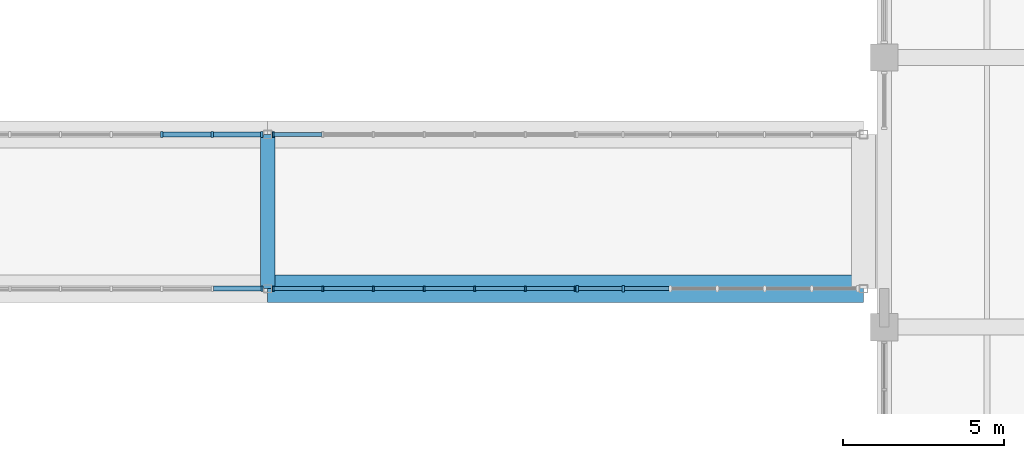
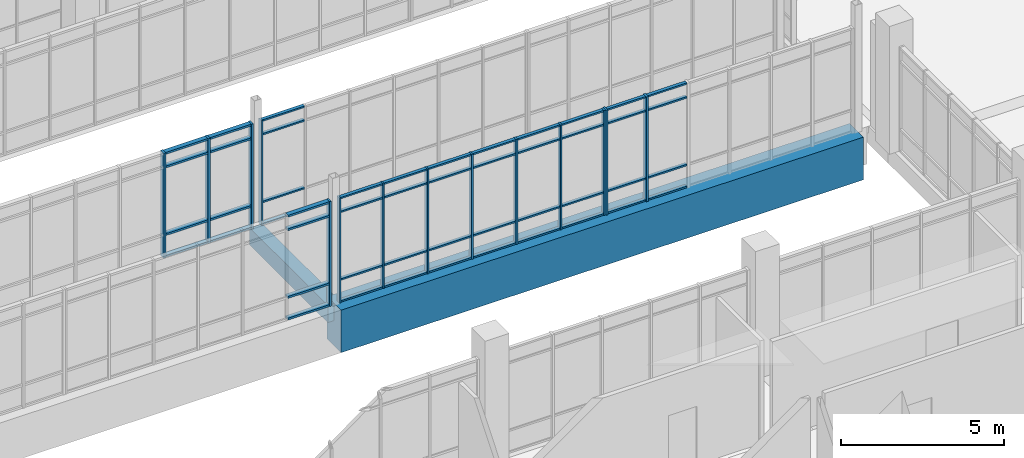
# One storey, part 55 of 152: 62 members, 2 beams, 5 elements without a shape of their own.
"""IFC4 building model written with IfcOpenShell, lengths in metres."""

from ifc_helpers import new_model, si_unit, direction, frame, origin, origin_2d, place, context, subcontext, project, spatial, rectangle, extrude, material, material_profile, profile_set, type_object, element, aggregate, save


model = new_model("IFC4")

# Units and contexts
model_context = context("Model", 3, precision=1e-05, world=origin(), true_north=direction((0.0, 1.0)))
body_context = subcontext(model_context, "Body", "Model", "MODEL_VIEW")
ifc_project = project(units=[si_unit("LENGTHUNIT", "METRE"), si_unit("AREAUNIT", "SQUARE_METRE"), si_unit("VOLUMEUNIT", "CUBIC_METRE"), si_unit("PLANEANGLEUNIT", "RADIAN"), si_unit("MASSUNIT", "GRAM", prefix="KILO")], contexts=[model_context])

# Site, building, storey
site_placement = place(None, origin())
site = spatial("IfcSite", under=ifc_project, at=site_placement, CompositionType="ELEMENT")
building_placement = place(site_placement, origin())
building = spatial("IfcBuilding", under=site, at=building_placement, Name="Oolite Switchyard Hospital", CompositionType="ELEMENT")
storey_placement = place(building_placement, frame((0.0, 0.0, 5.10009765625)))
storey = spatial("IfcBuildingStorey", under=building, at=storey_placement, Name="L01", CompositionType="ELEMENT", Elevation=5.10009765625)

# Beams
ifc_material_1 = material(Name="Concrete C40/50", Category="concrete")
ifc_material_profile_1 = material_profile(ifc_material_1, rectangle(XDim=0.449951171875, YDim=0.64990234375, at=origin_2d()), Name="RCB450X650")
ifc_profile_set_1 = profile_set([ifc_material_profile_1], Name="Concrete C40/50")
beam_type_1 = type_object("IfcBeamType", Name="BM-RC450X650", PredefinedType="BEAM", material=ifc_profile_set_1)
beam_1_placement = place(storey_placement, frame((163.199951171875, 34.800048828125, -0.3251953125), z_axis=(0.0, 1.0, 0.0), x_axis=(-1.0, 0.0, 0.0)))
element("IfcBeam", 1, at=beam_1_placement, inside=storey, type_object=beam_type_1, Name="L01 Y-Girder 489", PredefinedType="BEAM", context=body_context, shape_type="SweptSolid", body=[
    extrude(rectangle(XDim=0.449951171875, YDim=0.64990234375, at=origin_2d()), origin(), (0.0, 0.0, 1.0), 4.800048828125),
])
ifc_material_profile_2 = material_profile(ifc_material_1, rectangle(XDim=0.85009765625, YDim=1.60009765625, at=origin_2d()), Name="RCT850X1600")
ifc_profile_set_2 = profile_set([ifc_material_profile_2], Name="Concrete C40/50")
beam_type_2 = type_object("IfcBeamType", Name="BM-TR850X1600", PredefinedType="BEAM", material=ifc_profile_set_2)
beam_2_placement = place(storey_placement, frame((163.199951171875, 34.800048828125, -0.800048828125), z_axis=(1.0, 0.0, 0.0), x_axis=(0.0, 1.0, 0.0)))
element("IfcBeam", 2, at=beam_2_placement, inside=storey, type_object=beam_type_2, Name="L01 X-Girder 81", PredefinedType="BEAM", context=body_context, shape_type="SweptSolid", body=[
    extrude(rectangle(XDim=0.85009765625, YDim=1.60009765625, at=origin_2d()), origin(), (0.0, 0.0, 1.0), 18.550048828125),
])

# Curtain wall, members
ifc_material_2 = material(Name="Thermally broken aluminum frame with laminated impact glazing", Category="aluminium")
curtain_wall_type = type_object("IfcCurtainWallType", Name="CW-BRG-96X38", PredefinedType="USERDEFINED", material=ifc_material_2)
curtain_wall_1_placement = place(storey_placement, origin())
curtain_wall_1 = element("IfcCurtainWall", 3, at=curtain_wall_1_placement, inside=storey, type_object=curtain_wall_type, Name="L01 Unitised Curtain Wall 116", ObjectType="UNITISED", PredefinedType="USERDEFINED")
ifc_material_3 = material(Name="Aluminium 6063-T6", Category="aluminium")
ifc_material_profile_3 = material_profile(ifc_material_3, rectangle(XDim=0.159912109375, YDim=0.06005859375, at=origin_2d()), Name="CWM60X160")
ifc_profile_set_3 = profile_set([ifc_material_profile_3], Name="Aluminium 6063-T6")
member_type_1 = type_object("IfcMemberType", Name="CW-MUL-180", PredefinedType="MULLION", material=ifc_profile_set_3)
member_1_placement = place(storey_placement, frame((172.77001953125, 34.800048828125, 0.0), z_axis=(0.0, 0.0, 1.0), x_axis=(0.0, -1.0, 0.0)))
member_1 = element("IfcMember", 4, at=member_1_placement, type_object=member_type_1, Name="CW-12 mullion 1", PredefinedType="MULLION", context=body_context, shape_type="SweptSolid", body=[
    extrude(rectangle(XDim=0.159912109375, YDim=0.06005859375, at=origin_2d()), origin(), (0.0, 0.0, 1.0), 3.93994140625),
])
member_2_placement = place(storey_placement, frame((171.2236328125, 34.800048828125, 0.0), z_axis=(0.0, 0.0, 1.0), x_axis=(0.0, -1.0, 0.0)))
member_2 = element("IfcMember", 5, at=member_2_placement, type_object=member_type_1, Name="CW-12 mullion 2", PredefinedType="MULLION", context=body_context, shape_type="SweptSolid", body=[
    extrude(rectangle(XDim=0.159912109375, YDim=0.06005859375, at=origin_2d()), origin(), (0.0, 0.0, 1.0), 3.93994140625),
])
member_3_placement = place(storey_placement, frame((169.647216796875, 34.800048828125, 0.0), z_axis=(0.0, 0.0, 1.0), x_axis=(0.0, -1.0, 0.0)))
member_3 = element("IfcMember", 6, at=member_3_placement, type_object=member_type_1, Name="CW-12 mullion 3", PredefinedType="MULLION", context=body_context, shape_type="SweptSolid", body=[
    extrude(rectangle(XDim=0.159912109375, YDim=0.06005859375, at=origin_2d()), origin(), (0.0, 0.0, 1.0), 3.93994140625),
])
member_4_placement = place(storey_placement, frame((168.071044921875, 34.800048828125, 0.0), z_axis=(0.0, 0.0, 1.0), x_axis=(0.0, -1.0, 0.0)))
member_4 = element("IfcMember", 7, at=member_4_placement, type_object=member_type_1, Name="CW-12 mullion 4", PredefinedType="MULLION", context=body_context, shape_type="SweptSolid", body=[
    extrude(rectangle(XDim=0.159912109375, YDim=0.06005859375, at=origin_2d()), origin(), (0.0, 0.0, 1.0), 3.93994140625),
])
member_5_placement = place(storey_placement, frame((166.49462890625, 34.800048828125, 0.0), z_axis=(0.0, 0.0, 1.0), x_axis=(0.0, -1.0, 0.0)))
member_5 = element("IfcMember", 8, at=member_5_placement, type_object=member_type_1, Name="CW-12 mullion 5", PredefinedType="MULLION", context=body_context, shape_type="SweptSolid", body=[
    extrude(rectangle(XDim=0.159912109375, YDim=0.06005859375, at=origin_2d()), origin(), (0.0, 0.0, 1.0), 3.93994140625),
])
member_6_placement = place(storey_placement, frame((164.918212890625, 34.800048828125, 0.0), z_axis=(0.0, 0.0, 1.0), x_axis=(0.0, -1.0, 0.0)))
member_6 = element("IfcMember", 9, at=member_6_placement, type_object=member_type_1, Name="CW-12 mullion 6", PredefinedType="MULLION", context=body_context, shape_type="SweptSolid", body=[
    extrude(rectangle(XDim=0.159912109375, YDim=0.06005859375, at=origin_2d()), origin(), (0.0, 0.0, 1.0), 3.93994140625),
])
member_7_placement = place(storey_placement, frame((163.3720703125, 34.800048828125, 0.0), z_axis=(0.0, 0.0, 1.0), x_axis=(0.0, -1.0, 0.0)))
member_7 = element("IfcMember", 10, at=member_7_placement, type_object=member_type_1, Name="CW-12 mullion 7", PredefinedType="MULLION", context=body_context, shape_type="SweptSolid", body=[
    extrude(rectangle(XDim=0.159912109375, YDim=0.06005859375, at=origin_2d()), origin(), (0.0, 0.0, 1.0), 3.93994140625),
])

# Curtain wall, member
curtain_wall_2_placement = place(storey_placement, origin())
curtain_wall_2 = element("IfcCurtainWall", 11, at=curtain_wall_2_placement, inside=storey, type_object=curtain_wall_type, Name="L01 Unitised Curtain Wall 122", ObjectType="UNITISED", PredefinedType="USERDEFINED")
member_8_placement = place(storey_placement, frame((163.3720703125, 39.60009765625, 0.0), z_axis=(0.0, 0.0, 1.0), x_axis=(0.0, 1.0, 0.0)))
member_8 = element("IfcMember", 12, at=member_8_placement, type_object=member_type_1, Name="CW-12 mullion 1", PredefinedType="MULLION", context=body_context, shape_type="SweptSolid", body=[
    extrude(rectangle(XDim=0.159912109375, YDim=0.06005859375, at=origin_2d()), origin(), (0.0, 0.0, 1.0), 3.93994140625),
])

curtain_wall_3_placement = place(storey_placement, origin())
curtain_wall_3 = element("IfcCurtainWall", 13, at=curtain_wall_3_placement, inside=storey, type_object=curtain_wall_type, Name="L01 Unitised Curtain Wall 117", ObjectType="UNITISED", PredefinedType="USERDEFINED")
ifc_material_profile_4 = material_profile(ifc_material_3, rectangle(XDim=0.179931640625, YDim=0.070068359375, at=origin_2d()), Name="CWM70X180")
ifc_profile_set_4 = profile_set([ifc_material_profile_4], Name="Aluminium 6063-T6")
member_type_2 = type_object("IfcMemberType", Name="CW-MUL-220", PredefinedType="MULLION", material=ifc_profile_set_4)
member_9_placement = place(storey_placement, frame((163.02294921875, 34.800048828125, 0.0), z_axis=(0.0, 0.0, 1.0), x_axis=(0.0, -1.0, 0.0)))
member_9 = element("IfcMember", 14, at=member_9_placement, type_object=member_type_2, Name="CW-12 mullion 1", PredefinedType="MULLION", context=body_context, shape_type="SweptSolid", body=[
    extrude(rectangle(XDim=0.179931640625, YDim=0.070068359375, at=origin_2d()), origin(), (0.0, 0.0, 1.0), 3.93994140625),
])

# Curtain wall, members
curtain_wall_4_placement = place(storey_placement, origin())
curtain_wall_4 = element("IfcCurtainWall", 15, at=curtain_wall_4_placement, inside=storey, type_object=curtain_wall_type, Name="L01 Unitised Curtain Wall 118", ObjectType="UNITISED", PredefinedType="USERDEFINED")
ifc_material_profile_5 = material_profile(ifc_material_3, rectangle(XDim=0.199951171875, YDim=0.074951171875, at=origin_2d()), Name="CWM75X200")
ifc_profile_set_5 = profile_set([ifc_material_profile_5], Name="Aluminium 6063-T6")
member_type_3 = type_object("IfcMemberType", Name="CW-MUL-260", PredefinedType="MULLION", material=ifc_profile_set_5)
member_10_placement = place(storey_placement, frame((174.26806640625, 34.800048828125, 0.0), z_axis=(0.0, 0.0, 1.0), x_axis=(0.0, -1.0, 0.0)))
member_10 = element("IfcMember", 16, at=member_10_placement, type_object=member_type_3, Name="CW-12 mullion 6", PredefinedType="MULLION", context=body_context, shape_type="SweptSolid", body=[
    extrude(rectangle(XDim=0.199951171875, YDim=0.074951171875, at=origin_2d()), origin(), (0.0, 0.0, 1.0), 3.93994140625),
])
member_11_placement = place(storey_placement, frame((172.83740234375, 34.800048828125, 0.0), z_axis=(0.0, 0.0, 1.0), x_axis=(0.0, -1.0, 0.0)))
member_11 = element("IfcMember", 17, at=member_11_placement, type_object=member_type_3, Name="CW-12 mullion 7", PredefinedType="MULLION", context=body_context, shape_type="SweptSolid", body=[
    extrude(rectangle(XDim=0.199951171875, YDim=0.074951171875, at=origin_2d()), origin(), (0.0, 0.0, 1.0), 3.93994140625),
])

curtain_wall_5_placement = place(storey_placement, origin())
curtain_wall_5 = element("IfcCurtainWall", 18, at=curtain_wall_5_placement, inside=storey, type_object=curtain_wall_type, Name="L01 Unitised Curtain Wall 121", ObjectType="UNITISED", PredefinedType="USERDEFINED")
member_12_placement = place(storey_placement, frame((159.9052734375, 39.60009765625, 0.0), z_axis=(0.0, 0.0, 1.0), x_axis=(0.0, 1.0, 0.0)))
member_12 = element("IfcMember", 19, at=member_12_placement, type_object=member_type_3, Name="CW-12 mullion 5", PredefinedType="MULLION", context=body_context, shape_type="SweptSolid", body=[
    extrude(rectangle(XDim=0.199951171875, YDim=0.074951171875, at=origin_2d()), origin(), (0.0, 0.0, 1.0), 3.93994140625),
])
member_13_placement = place(storey_placement, frame((161.481689453125, 39.60009765625, 0.0), z_axis=(0.0, 0.0, 1.0), x_axis=(0.0, 1.0, 0.0)))
member_13 = element("IfcMember", 20, at=member_13_placement, type_object=member_type_3, Name="CW-12 mullion 6", PredefinedType="MULLION", context=body_context, shape_type="SweptSolid", body=[
    extrude(rectangle(XDim=0.199951171875, YDim=0.074951171875, at=origin_2d()), origin(), (0.0, 0.0, 1.0), 3.93994140625),
])
member_14_placement = place(storey_placement, frame((163.0205078125, 39.60009765625, 0.0), z_axis=(0.0, 0.0, 1.0), x_axis=(0.0, 1.0, 0.0)))
member_14 = element("IfcMember", 21, at=member_14_placement, type_object=member_type_3, Name="CW-12 mullion 7", PredefinedType="MULLION", context=body_context, shape_type="SweptSolid", body=[
    extrude(rectangle(XDim=0.199951171875, YDim=0.074951171875, at=origin_2d()), origin(), (0.0, 0.0, 1.0), 3.93994140625),
])

# Member
ifc_material_profile_6 = material_profile(ifc_material_3, rectangle(XDim=0.1201171875, YDim=0.06005859375, at=origin_2d()), Name="CWT60X120")
ifc_profile_set_6 = profile_set([ifc_material_profile_6], Name="Aluminium 6063-T6")
member_type_4 = type_object("IfcMemberType", Name="CW-TRN-150", PredefinedType="USERDEFINED", material=ifc_profile_set_6)
member_15_placement = place(storey_placement, frame((172.739990234375, 34.800048828125, 0.02978515625), z_axis=(-1.0, 0.0, 0.0), x_axis=(0.0, -1.0, 0.0)))
member_15 = element("IfcMember", 22, at=member_15_placement, type_object=member_type_4, Name="CW-12 transom 1.1", ObjectType="TRANSOM", PredefinedType="USERDEFINED", context=body_context, shape_type="SweptSolid", body=[
    extrude(rectangle(XDim=0.1201171875, YDim=0.06005859375, at=origin_2d()), origin(), (0.0, 0.0, 1.0), 1.486328125),
])

member_16_placement = place(storey_placement, frame((172.739990234375, 34.800048828125, 0.849853515625), z_axis=(-1.0, 0.0, 0.0), x_axis=(0.0, -1.0, 0.0)))
member_16 = element("IfcMember", 23, at=member_16_placement, type_object=member_type_4, Name="CW-12 transom 1.2", ObjectType="TRANSOM", PredefinedType="USERDEFINED", context=body_context, shape_type="SweptSolid", body=[
    extrude(rectangle(XDim=0.1201171875, YDim=0.06005859375, at=origin_2d()), origin(), (0.0, 0.0, 1.0), 1.486328125),
])

member_17_placement = place(storey_placement, frame((172.739990234375, 34.800048828125, 3.389892578125), z_axis=(-1.0, 0.0, 0.0), x_axis=(0.0, -1.0, 0.0)))
member_17 = element("IfcMember", 24, at=member_17_placement, type_object=member_type_4, Name="CW-12 transom 1.3", ObjectType="TRANSOM", PredefinedType="USERDEFINED", context=body_context, shape_type="SweptSolid", body=[
    extrude(rectangle(XDim=0.1201171875, YDim=0.06005859375, at=origin_2d()), origin(), (0.0, 0.0, 1.0), 1.486328125),
])

member_18_placement = place(storey_placement, frame((172.739990234375, 34.800048828125, 3.909912109375), z_axis=(-1.0, 0.0, 0.0), x_axis=(0.0, -1.0, 0.0)))
member_18 = element("IfcMember", 25, at=member_18_placement, type_object=member_type_4, Name="CW-12 transom 1.4", ObjectType="TRANSOM", PredefinedType="USERDEFINED", context=body_context, shape_type="SweptSolid", body=[
    extrude(rectangle(XDim=0.1201171875, YDim=0.06005859375, at=origin_2d()), origin(), (0.0, 0.0, 1.0), 1.486328125),
])

member_19_placement = place(storey_placement, frame((171.193603515625, 34.800048828125, 0.02978515625), z_axis=(-1.0, 0.0, 0.0), x_axis=(0.0, -1.0, 0.0)))
member_19 = element("IfcMember", 26, at=member_19_placement, type_object=member_type_4, Name="CW-12 transom 2.1", ObjectType="TRANSOM", PredefinedType="USERDEFINED", context=body_context, shape_type="SweptSolid", body=[
    extrude(rectangle(XDim=0.1201171875, YDim=0.06005859375, at=origin_2d()), origin(), (0.0, 0.0, 1.0), 1.516357421875),
])

member_20_placement = place(storey_placement, frame((171.193603515625, 34.800048828125, 0.849853515625), z_axis=(-1.0, 0.0, 0.0), x_axis=(0.0, -1.0, 0.0)))
member_20 = element("IfcMember", 27, at=member_20_placement, type_object=member_type_4, Name="CW-12 transom 2.2", ObjectType="TRANSOM", PredefinedType="USERDEFINED", context=body_context, shape_type="SweptSolid", body=[
    extrude(rectangle(XDim=0.1201171875, YDim=0.06005859375, at=origin_2d()), origin(), (0.0, 0.0, 1.0), 1.516357421875),
])

member_21_placement = place(storey_placement, frame((171.193603515625, 34.800048828125, 3.389892578125), z_axis=(-1.0, 0.0, 0.0), x_axis=(0.0, -1.0, 0.0)))
member_21 = element("IfcMember", 28, at=member_21_placement, type_object=member_type_4, Name="CW-12 transom 2.3", ObjectType="TRANSOM", PredefinedType="USERDEFINED", context=body_context, shape_type="SweptSolid", body=[
    extrude(rectangle(XDim=0.1201171875, YDim=0.06005859375, at=origin_2d()), origin(), (0.0, 0.0, 1.0), 1.516357421875),
])

member_22_placement = place(storey_placement, frame((171.193603515625, 34.800048828125, 3.909912109375), z_axis=(-1.0, 0.0, 0.0), x_axis=(0.0, -1.0, 0.0)))
member_22 = element("IfcMember", 29, at=member_22_placement, type_object=member_type_4, Name="CW-12 transom 2.4", ObjectType="TRANSOM", PredefinedType="USERDEFINED", context=body_context, shape_type="SweptSolid", body=[
    extrude(rectangle(XDim=0.1201171875, YDim=0.06005859375, at=origin_2d()), origin(), (0.0, 0.0, 1.0), 1.516357421875),
])

member_23_placement = place(storey_placement, frame((169.617431640625, 34.800048828125, 0.02978515625), z_axis=(-1.0, 0.0, 0.0), x_axis=(0.0, -1.0, 0.0)))
member_23 = element("IfcMember", 30, at=member_23_placement, type_object=member_type_4, Name="CW-12 transom 3.1", ObjectType="TRANSOM", PredefinedType="USERDEFINED", context=body_context, shape_type="SweptSolid", body=[
    extrude(rectangle(XDim=0.1201171875, YDim=0.06005859375, at=origin_2d()), origin(), (0.0, 0.0, 1.0), 1.516357421875),
])

member_24_placement = place(storey_placement, frame((169.617431640625, 34.800048828125, 0.849853515625), z_axis=(-1.0, 0.0, 0.0), x_axis=(0.0, -1.0, 0.0)))
member_24 = element("IfcMember", 31, at=member_24_placement, type_object=member_type_4, Name="CW-12 transom 3.2", ObjectType="TRANSOM", PredefinedType="USERDEFINED", context=body_context, shape_type="SweptSolid", body=[
    extrude(rectangle(XDim=0.1201171875, YDim=0.06005859375, at=origin_2d()), origin(), (0.0, 0.0, 1.0), 1.516357421875),
])

member_25_placement = place(storey_placement, frame((169.617431640625, 34.800048828125, 3.389892578125), z_axis=(-1.0, 0.0, 0.0), x_axis=(0.0, -1.0, 0.0)))
member_25 = element("IfcMember", 32, at=member_25_placement, type_object=member_type_4, Name="CW-12 transom 3.3", ObjectType="TRANSOM", PredefinedType="USERDEFINED", context=body_context, shape_type="SweptSolid", body=[
    extrude(rectangle(XDim=0.1201171875, YDim=0.06005859375, at=origin_2d()), origin(), (0.0, 0.0, 1.0), 1.516357421875),
])

member_26_placement = place(storey_placement, frame((169.617431640625, 34.800048828125, 3.909912109375), z_axis=(-1.0, 0.0, 0.0), x_axis=(0.0, -1.0, 0.0)))
member_26 = element("IfcMember", 33, at=member_26_placement, type_object=member_type_4, Name="CW-12 transom 3.4", ObjectType="TRANSOM", PredefinedType="USERDEFINED", context=body_context, shape_type="SweptSolid", body=[
    extrude(rectangle(XDim=0.1201171875, YDim=0.06005859375, at=origin_2d()), origin(), (0.0, 0.0, 1.0), 1.516357421875),
])

member_27_placement = place(storey_placement, frame((168.041015625, 34.800048828125, 0.02978515625), z_axis=(-1.0, 0.0, 0.0), x_axis=(0.0, -1.0, 0.0)))
member_27 = element("IfcMember", 34, at=member_27_placement, type_object=member_type_4, Name="CW-12 transom 4.1", ObjectType="TRANSOM", PredefinedType="USERDEFINED", context=body_context, shape_type="SweptSolid", body=[
    extrude(rectangle(XDim=0.1201171875, YDim=0.06005859375, at=origin_2d()), origin(), (0.0, 0.0, 1.0), 1.516357421875),
])

member_28_placement = place(storey_placement, frame((168.041015625, 34.800048828125, 0.849853515625), z_axis=(-1.0, 0.0, 0.0), x_axis=(0.0, -1.0, 0.0)))
member_28 = element("IfcMember", 35, at=member_28_placement, type_object=member_type_4, Name="CW-12 transom 4.2", ObjectType="TRANSOM", PredefinedType="USERDEFINED", context=body_context, shape_type="SweptSolid", body=[
    extrude(rectangle(XDim=0.1201171875, YDim=0.06005859375, at=origin_2d()), origin(), (0.0, 0.0, 1.0), 1.516357421875),
])

member_29_placement = place(storey_placement, frame((168.041015625, 34.800048828125, 3.389892578125), z_axis=(-1.0, 0.0, 0.0), x_axis=(0.0, -1.0, 0.0)))
member_29 = element("IfcMember", 36, at=member_29_placement, type_object=member_type_4, Name="CW-12 transom 4.3", ObjectType="TRANSOM", PredefinedType="USERDEFINED", context=body_context, shape_type="SweptSolid", body=[
    extrude(rectangle(XDim=0.1201171875, YDim=0.06005859375, at=origin_2d()), origin(), (0.0, 0.0, 1.0), 1.516357421875),
])

member_30_placement = place(storey_placement, frame((168.041015625, 34.800048828125, 3.909912109375), z_axis=(-1.0, 0.0, 0.0), x_axis=(0.0, -1.0, 0.0)))
member_30 = element("IfcMember", 37, at=member_30_placement, type_object=member_type_4, Name="CW-12 transom 4.4", ObjectType="TRANSOM", PredefinedType="USERDEFINED", context=body_context, shape_type="SweptSolid", body=[
    extrude(rectangle(XDim=0.1201171875, YDim=0.06005859375, at=origin_2d()), origin(), (0.0, 0.0, 1.0), 1.516357421875),
])

member_31_placement = place(storey_placement, frame((166.464599609375, 34.800048828125, 0.02978515625), z_axis=(-1.0, 0.0, 0.0), x_axis=(0.0, -1.0, 0.0)))
member_31 = element("IfcMember", 38, at=member_31_placement, type_object=member_type_4, Name="CW-12 transom 5.1", ObjectType="TRANSOM", PredefinedType="USERDEFINED", context=body_context, shape_type="SweptSolid", body=[
    extrude(rectangle(XDim=0.1201171875, YDim=0.06005859375, at=origin_2d()), origin(), (0.0, 0.0, 1.0), 1.516357421875),
])

member_32_placement = place(storey_placement, frame((166.464599609375, 34.800048828125, 0.849853515625), z_axis=(-1.0, 0.0, 0.0), x_axis=(0.0, -1.0, 0.0)))
member_32 = element("IfcMember", 39, at=member_32_placement, type_object=member_type_4, Name="CW-12 transom 5.2", ObjectType="TRANSOM", PredefinedType="USERDEFINED", context=body_context, shape_type="SweptSolid", body=[
    extrude(rectangle(XDim=0.1201171875, YDim=0.06005859375, at=origin_2d()), origin(), (0.0, 0.0, 1.0), 1.516357421875),
])

member_33_placement = place(storey_placement, frame((166.464599609375, 34.800048828125, 3.389892578125), z_axis=(-1.0, 0.0, 0.0), x_axis=(0.0, -1.0, 0.0)))
member_33 = element("IfcMember", 40, at=member_33_placement, type_object=member_type_4, Name="CW-12 transom 5.3", ObjectType="TRANSOM", PredefinedType="USERDEFINED", context=body_context, shape_type="SweptSolid", body=[
    extrude(rectangle(XDim=0.1201171875, YDim=0.06005859375, at=origin_2d()), origin(), (0.0, 0.0, 1.0), 1.516357421875),
])

member_34_placement = place(storey_placement, frame((166.464599609375, 34.800048828125, 3.909912109375), z_axis=(-1.0, 0.0, 0.0), x_axis=(0.0, -1.0, 0.0)))
member_34 = element("IfcMember", 41, at=member_34_placement, type_object=member_type_4, Name="CW-12 transom 5.4", ObjectType="TRANSOM", PredefinedType="USERDEFINED", context=body_context, shape_type="SweptSolid", body=[
    extrude(rectangle(XDim=0.1201171875, YDim=0.06005859375, at=origin_2d()), origin(), (0.0, 0.0, 1.0), 1.516357421875),
])

member_35_placement = place(storey_placement, frame((164.888427734375, 34.800048828125, 0.02978515625), z_axis=(-1.0, 0.0, 0.0), x_axis=(0.0, -1.0, 0.0)))
member_35 = element("IfcMember", 42, at=member_35_placement, type_object=member_type_4, Name="CW-12 transom 6.1", ObjectType="TRANSOM", PredefinedType="USERDEFINED", context=body_context, shape_type="SweptSolid", body=[
    extrude(rectangle(XDim=0.1201171875, YDim=0.06005859375, at=origin_2d()), origin(), (0.0, 0.0, 1.0), 1.486328125),
])

member_36_placement = place(storey_placement, frame((164.888427734375, 34.800048828125, 0.849853515625), z_axis=(-1.0, 0.0, 0.0), x_axis=(0.0, -1.0, 0.0)))
member_36 = element("IfcMember", 43, at=member_36_placement, type_object=member_type_4, Name="CW-12 transom 6.2", ObjectType="TRANSOM", PredefinedType="USERDEFINED", context=body_context, shape_type="SweptSolid", body=[
    extrude(rectangle(XDim=0.1201171875, YDim=0.06005859375, at=origin_2d()), origin(), (0.0, 0.0, 1.0), 1.486328125),
])

member_37_placement = place(storey_placement, frame((164.888427734375, 34.800048828125, 3.389892578125), z_axis=(-1.0, 0.0, 0.0), x_axis=(0.0, -1.0, 0.0)))
member_37 = element("IfcMember", 44, at=member_37_placement, type_object=member_type_4, Name="CW-12 transom 6.3", ObjectType="TRANSOM", PredefinedType="USERDEFINED", context=body_context, shape_type="SweptSolid", body=[
    extrude(rectangle(XDim=0.1201171875, YDim=0.06005859375, at=origin_2d()), origin(), (0.0, 0.0, 1.0), 1.486328125),
])

member_38_placement = place(storey_placement, frame((164.888427734375, 34.800048828125, 3.909912109375), z_axis=(-1.0, 0.0, 0.0), x_axis=(0.0, -1.0, 0.0)))
member_38 = element("IfcMember", 45, at=member_38_placement, type_object=member_type_4, Name="CW-12 transom 6.4", ObjectType="TRANSOM", PredefinedType="USERDEFINED", context=body_context, shape_type="SweptSolid", body=[
    extrude(rectangle(XDim=0.1201171875, YDim=0.06005859375, at=origin_2d()), origin(), (0.0, 0.0, 1.0), 1.486328125),
])

aggregate(curtain_wall_1, [member_1, member_2, member_3, member_4, member_5, member_6, member_7, member_15, member_16, member_17, member_18, member_19, member_20, member_21, member_22, member_23, member_24, member_25, member_26, member_27, member_28, member_29, member_30, member_31, member_32, member_33, member_34, member_35, member_36, member_37, member_38])

member_39_placement = place(storey_placement, frame((175.698486328125, 34.800048828125, 0.02978515625), z_axis=(-1.0, 0.0, 0.0), x_axis=(0.0, -1.0, 0.0)))
member_39 = element("IfcMember", 46, at=member_39_placement, type_object=member_type_4, Name="CW-12 transom 5.1", ObjectType="TRANSOM", PredefinedType="USERDEFINED", context=body_context, shape_type="SweptSolid", body=[
    extrude(rectangle(XDim=0.1201171875, YDim=0.06005859375, at=origin_2d()), origin(), (0.0, 0.0, 1.0), 1.39306640625),
])

member_40_placement = place(storey_placement, frame((175.698486328125, 34.800048828125, 0.849853515625), z_axis=(-1.0, 0.0, 0.0), x_axis=(0.0, -1.0, 0.0)))
member_40 = element("IfcMember", 47, at=member_40_placement, type_object=member_type_4, Name="CW-12 transom 5.2", ObjectType="TRANSOM", PredefinedType="USERDEFINED", context=body_context, shape_type="SweptSolid", body=[
    extrude(rectangle(XDim=0.1201171875, YDim=0.06005859375, at=origin_2d()), origin(), (0.0, 0.0, 1.0), 1.39306640625),
])

member_41_placement = place(storey_placement, frame((175.698486328125, 34.800048828125, 3.389892578125), z_axis=(-1.0, 0.0, 0.0), x_axis=(0.0, -1.0, 0.0)))
member_41 = element("IfcMember", 48, at=member_41_placement, type_object=member_type_4, Name="CW-12 transom 5.3", ObjectType="TRANSOM", PredefinedType="USERDEFINED", context=body_context, shape_type="SweptSolid", body=[
    extrude(rectangle(XDim=0.1201171875, YDim=0.06005859375, at=origin_2d()), origin(), (0.0, 0.0, 1.0), 1.39306640625),
])

member_42_placement = place(storey_placement, frame((175.698486328125, 34.800048828125, 3.909912109375), z_axis=(-1.0, 0.0, 0.0), x_axis=(0.0, -1.0, 0.0)))
member_42 = element("IfcMember", 49, at=member_42_placement, type_object=member_type_4, Name="CW-12 transom 5.4", ObjectType="TRANSOM", PredefinedType="USERDEFINED", context=body_context, shape_type="SweptSolid", body=[
    extrude(rectangle(XDim=0.1201171875, YDim=0.06005859375, at=origin_2d()), origin(), (0.0, 0.0, 1.0), 1.39306640625),
])

member_43_placement = place(storey_placement, frame((174.23046875, 34.800048828125, 0.02978515625), z_axis=(-1.0, 0.0, 0.0), x_axis=(0.0, -1.0, 0.0)))
member_43 = element("IfcMember", 50, at=member_43_placement, type_object=member_type_4, Name="CW-12 transom 6.1", ObjectType="TRANSOM", PredefinedType="USERDEFINED", context=body_context, shape_type="SweptSolid", body=[
    extrude(rectangle(XDim=0.1201171875, YDim=0.06005859375, at=origin_2d()), origin(), (0.0, 0.0, 1.0), 1.35546875),
])

member_44_placement = place(storey_placement, frame((174.23046875, 34.800048828125, 0.849853515625), z_axis=(-1.0, 0.0, 0.0), x_axis=(0.0, -1.0, 0.0)))
member_44 = element("IfcMember", 51, at=member_44_placement, type_object=member_type_4, Name="CW-12 transom 6.2", ObjectType="TRANSOM", PredefinedType="USERDEFINED", context=body_context, shape_type="SweptSolid", body=[
    extrude(rectangle(XDim=0.1201171875, YDim=0.06005859375, at=origin_2d()), origin(), (0.0, 0.0, 1.0), 1.35546875),
])

member_45_placement = place(storey_placement, frame((174.23046875, 34.800048828125, 3.389892578125), z_axis=(-1.0, 0.0, 0.0), x_axis=(0.0, -1.0, 0.0)))
member_45 = element("IfcMember", 52, at=member_45_placement, type_object=member_type_4, Name="CW-12 transom 6.3", ObjectType="TRANSOM", PredefinedType="USERDEFINED", context=body_context, shape_type="SweptSolid", body=[
    extrude(rectangle(XDim=0.1201171875, YDim=0.06005859375, at=origin_2d()), origin(), (0.0, 0.0, 1.0), 1.35546875),
])

member_46_placement = place(storey_placement, frame((174.23046875, 34.800048828125, 3.909912109375), z_axis=(-1.0, 0.0, 0.0), x_axis=(0.0, -1.0, 0.0)))
member_46 = element("IfcMember", 53, at=member_46_placement, type_object=member_type_4, Name="CW-12 transom 6.4", ObjectType="TRANSOM", PredefinedType="USERDEFINED", context=body_context, shape_type="SweptSolid", body=[
    extrude(rectangle(XDim=0.1201171875, YDim=0.06005859375, at=origin_2d()), origin(), (0.0, 0.0, 1.0), 1.35546875),
])

aggregate(curtain_wall_4, [member_10, member_11, member_39, member_40, member_41, member_42, member_43, member_44, member_45, member_46])

member_47_placement = place(storey_placement, frame((163.402099609375, 39.60009765625, 0.02978515625), z_axis=(1.0, 0.0, 0.0), x_axis=(0.0, 1.0, 0.0)))
member_47 = element("IfcMember", 54, at=member_47_placement, type_object=member_type_4, Name="CW-12 transom 1.1", ObjectType="TRANSOM", PredefinedType="USERDEFINED", context=body_context, shape_type="SweptSolid", body=[
    extrude(rectangle(XDim=0.1201171875, YDim=0.06005859375, at=origin_2d()), origin(), (0.0, 0.0, 1.0), 1.486328125),
])

member_48_placement = place(storey_placement, frame((163.402099609375, 39.60009765625, 0.849853515625), z_axis=(1.0, 0.0, 0.0), x_axis=(0.0, 1.0, 0.0)))
member_48 = element("IfcMember", 55, at=member_48_placement, type_object=member_type_4, Name="CW-12 transom 1.2", ObjectType="TRANSOM", PredefinedType="USERDEFINED", context=body_context, shape_type="SweptSolid", body=[
    extrude(rectangle(XDim=0.1201171875, YDim=0.06005859375, at=origin_2d()), origin(), (0.0, 0.0, 1.0), 1.486328125),
])

member_49_placement = place(storey_placement, frame((163.402099609375, 39.60009765625, 3.389892578125), z_axis=(1.0, 0.0, 0.0), x_axis=(0.0, 1.0, 0.0)))
member_49 = element("IfcMember", 56, at=member_49_placement, type_object=member_type_4, Name="CW-12 transom 1.3", ObjectType="TRANSOM", PredefinedType="USERDEFINED", context=body_context, shape_type="SweptSolid", body=[
    extrude(rectangle(XDim=0.1201171875, YDim=0.06005859375, at=origin_2d()), origin(), (0.0, 0.0, 1.0), 1.486328125),
])

member_50_placement = place(storey_placement, frame((163.402099609375, 39.60009765625, 3.909912109375), z_axis=(1.0, 0.0, 0.0), x_axis=(0.0, 1.0, 0.0)))
member_50 = element("IfcMember", 57, at=member_50_placement, type_object=member_type_4, Name="CW-12 transom 1.4", ObjectType="TRANSOM", PredefinedType="USERDEFINED", context=body_context, shape_type="SweptSolid", body=[
    extrude(rectangle(XDim=0.1201171875, YDim=0.06005859375, at=origin_2d()), origin(), (0.0, 0.0, 1.0), 1.486328125),
])

aggregate(curtain_wall_2, [member_8, member_47, member_48, member_49, member_50])

ifc_material_profile_7 = material_profile(ifc_material_3, rectangle(XDim=0.159912109375, YDim=0.074951171875, at=origin_2d()), Name="CWT75X160")
ifc_profile_set_7 = profile_set([ifc_material_profile_7], Name="Aluminium 6063-T6")
member_type_5 = type_object("IfcMemberType", Name="CW-TRN-180", PredefinedType="USERDEFINED", material=ifc_profile_set_7)
member_51_placement = place(storey_placement, frame((162.988037109375, 34.800048828125, 0.037353515625), z_axis=(-1.0, 0.0, 0.0), x_axis=(0.0, -1.0, 0.0)))
member_51 = element("IfcMember", 58, at=member_51_placement, type_object=member_type_5, Name="CW-12 transom 1.1", ObjectType="TRANSOM", PredefinedType="USERDEFINED", context=body_context, shape_type="SweptSolid", body=[
    extrude(rectangle(XDim=0.159912109375, YDim=0.074951171875, at=origin_2d()), origin(), (0.0, 0.0, 1.0), 1.471435546875),
])

member_52_placement = place(storey_placement, frame((162.988037109375, 34.800048828125, 0.849853515625), z_axis=(-1.0, 0.0, 0.0), x_axis=(0.0, -1.0, 0.0)))
member_52 = element("IfcMember", 59, at=member_52_placement, type_object=member_type_5, Name="CW-12 transom 1.2", ObjectType="TRANSOM", PredefinedType="USERDEFINED", context=body_context, shape_type="SweptSolid", body=[
    extrude(rectangle(XDim=0.159912109375, YDim=0.074951171875, at=origin_2d()), origin(), (0.0, 0.0, 1.0), 1.471435546875),
])

member_53_placement = place(storey_placement, frame((162.988037109375, 34.800048828125, 3.389892578125), z_axis=(-1.0, 0.0, 0.0), x_axis=(0.0, -1.0, 0.0)))
member_53 = element("IfcMember", 60, at=member_53_placement, type_object=member_type_5, Name="CW-12 transom 1.3", ObjectType="TRANSOM", PredefinedType="USERDEFINED", context=body_context, shape_type="SweptSolid", body=[
    extrude(rectangle(XDim=0.159912109375, YDim=0.074951171875, at=origin_2d()), origin(), (0.0, 0.0, 1.0), 1.471435546875),
])

member_54_placement = place(storey_placement, frame((162.988037109375, 34.800048828125, 3.90234375), z_axis=(-1.0, 0.0, 0.0), x_axis=(0.0, -1.0, 0.0)))
member_54 = element("IfcMember", 61, at=member_54_placement, type_object=member_type_5, Name="CW-12 transom 1.4", ObjectType="TRANSOM", PredefinedType="USERDEFINED", context=body_context, shape_type="SweptSolid", body=[
    extrude(rectangle(XDim=0.159912109375, YDim=0.074951171875, at=origin_2d()), origin(), (0.0, 0.0, 1.0), 1.471435546875),
])

aggregate(curtain_wall_3, [member_9, member_51, member_52, member_53, member_54])

member_55_placement = place(storey_placement, frame((159.94287109375, 39.60009765625, 0.037353515625), z_axis=(1.0, 0.0, 0.0), x_axis=(0.0, 1.0, 0.0)))
member_55 = element("IfcMember", 62, at=member_55_placement, type_object=member_type_5, Name="CW-12 transom 5.1", ObjectType="TRANSOM", PredefinedType="USERDEFINED", context=body_context, shape_type="SweptSolid", body=[
    extrude(rectangle(XDim=0.159912109375, YDim=0.074951171875, at=origin_2d()), origin(), (0.0, 0.0, 1.0), 1.501220703125),
])

member_56_placement = place(storey_placement, frame((159.94287109375, 39.60009765625, 0.849853515625), z_axis=(1.0, 0.0, 0.0), x_axis=(0.0, 1.0, 0.0)))
member_56 = element("IfcMember", 63, at=member_56_placement, type_object=member_type_5, Name="CW-12 transom 5.2", ObjectType="TRANSOM", PredefinedType="USERDEFINED", context=body_context, shape_type="SweptSolid", body=[
    extrude(rectangle(XDim=0.159912109375, YDim=0.074951171875, at=origin_2d()), origin(), (0.0, 0.0, 1.0), 1.501220703125),
])

member_57_placement = place(storey_placement, frame((159.94287109375, 39.60009765625, 3.389892578125), z_axis=(1.0, 0.0, 0.0), x_axis=(0.0, 1.0, 0.0)))
member_57 = element("IfcMember", 64, at=member_57_placement, type_object=member_type_5, Name="CW-12 transom 5.3", ObjectType="TRANSOM", PredefinedType="USERDEFINED", context=body_context, shape_type="SweptSolid", body=[
    extrude(rectangle(XDim=0.159912109375, YDim=0.074951171875, at=origin_2d()), origin(), (0.0, 0.0, 1.0), 1.501220703125),
])

member_58_placement = place(storey_placement, frame((159.94287109375, 39.60009765625, 3.90234375), z_axis=(1.0, 0.0, 0.0), x_axis=(0.0, 1.0, 0.0)))
member_58 = element("IfcMember", 65, at=member_58_placement, type_object=member_type_5, Name="CW-12 transom 5.4", ObjectType="TRANSOM", PredefinedType="USERDEFINED", context=body_context, shape_type="SweptSolid", body=[
    extrude(rectangle(XDim=0.159912109375, YDim=0.074951171875, at=origin_2d()), origin(), (0.0, 0.0, 1.0), 1.501220703125),
])

member_59_placement = place(storey_placement, frame((161.519287109375, 39.60009765625, 0.037353515625), z_axis=(1.0, 0.0, 0.0), x_axis=(0.0, 1.0, 0.0)))
member_59 = element("IfcMember", 66, at=member_59_placement, type_object=member_type_5, Name="CW-12 transom 6.1", ObjectType="TRANSOM", PredefinedType="USERDEFINED", context=body_context, shape_type="SweptSolid", body=[
    extrude(rectangle(XDim=0.159912109375, YDim=0.074951171875, at=origin_2d()), origin(), (0.0, 0.0, 1.0), 1.463623046875),
])

member_60_placement = place(storey_placement, frame((161.519287109375, 39.60009765625, 0.849853515625), z_axis=(1.0, 0.0, 0.0), x_axis=(0.0, 1.0, 0.0)))
member_60 = element("IfcMember", 67, at=member_60_placement, type_object=member_type_5, Name="CW-12 transom 6.2", ObjectType="TRANSOM", PredefinedType="USERDEFINED", context=body_context, shape_type="SweptSolid", body=[
    extrude(rectangle(XDim=0.159912109375, YDim=0.074951171875, at=origin_2d()), origin(), (0.0, 0.0, 1.0), 1.463623046875),
])

member_61_placement = place(storey_placement, frame((161.519287109375, 39.60009765625, 3.389892578125), z_axis=(1.0, 0.0, 0.0), x_axis=(0.0, 1.0, 0.0)))
member_61 = element("IfcMember", 68, at=member_61_placement, type_object=member_type_5, Name="CW-12 transom 6.3", ObjectType="TRANSOM", PredefinedType="USERDEFINED", context=body_context, shape_type="SweptSolid", body=[
    extrude(rectangle(XDim=0.159912109375, YDim=0.074951171875, at=origin_2d()), origin(), (0.0, 0.0, 1.0), 1.463623046875),
])

member_62_placement = place(storey_placement, frame((161.519287109375, 39.60009765625, 3.90234375), z_axis=(1.0, 0.0, 0.0), x_axis=(0.0, 1.0, 0.0)))
member_62 = element("IfcMember", 69, at=member_62_placement, type_object=member_type_5, Name="CW-12 transom 6.4", ObjectType="TRANSOM", PredefinedType="USERDEFINED", context=body_context, shape_type="SweptSolid", body=[
    extrude(rectangle(XDim=0.159912109375, YDim=0.074951171875, at=origin_2d()), origin(), (0.0, 0.0, 1.0), 1.463623046875),
])

aggregate(curtain_wall_5, [member_12, member_13, member_14, member_55, member_56, member_57, member_58, member_59, member_60, member_61, member_62])

save(model, "model.ifc")
